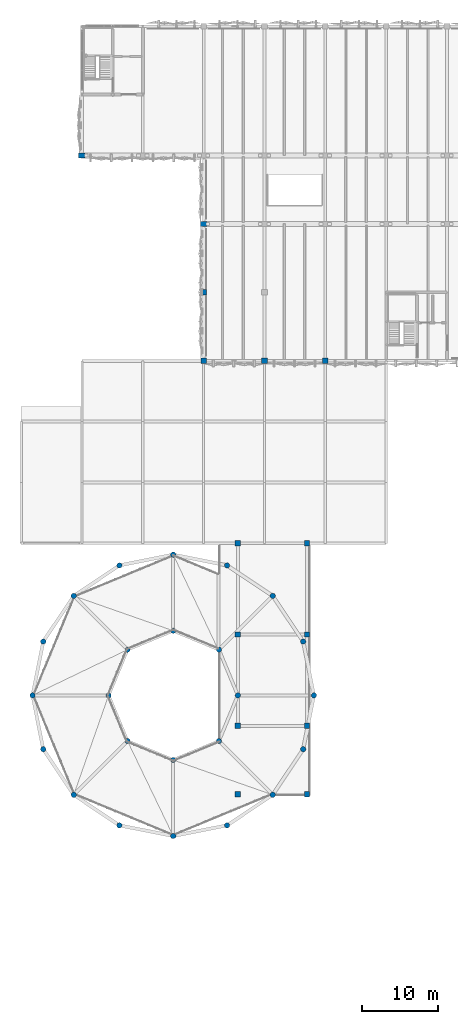
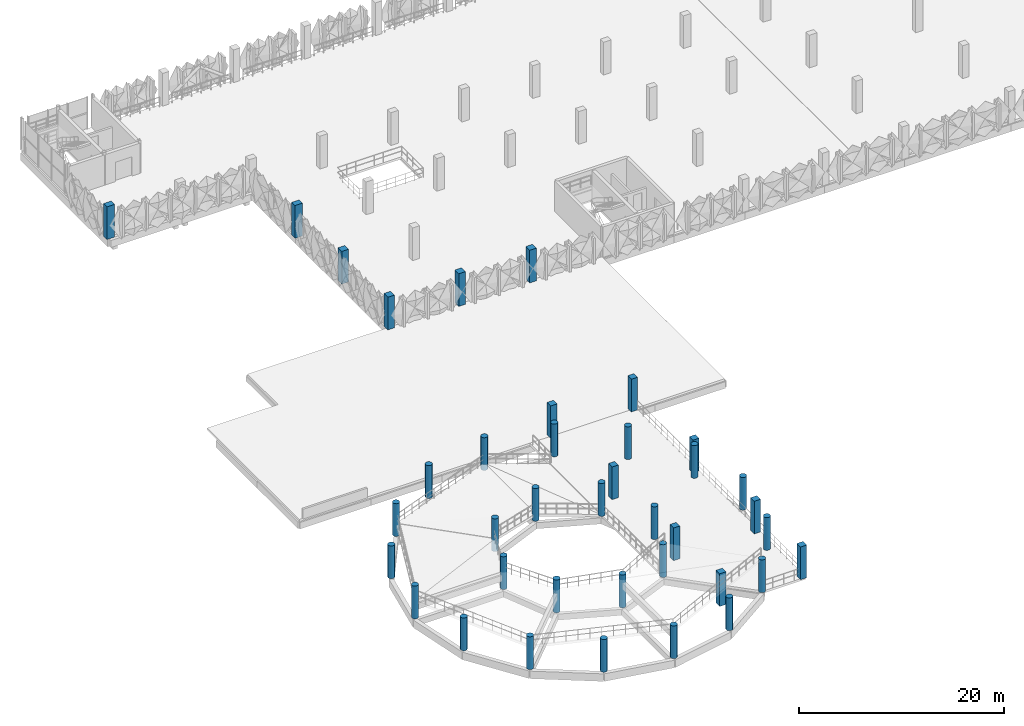
# One storey, part 1 of 76: 38 columns.
"""IFC4 building model written with IfcOpenShell, lengths in metres."""

from ifc_helpers import new_model, si_unit, derived_unit, direction, frame, origin, origin_2d, place, context, subcontext, project, spatial, rectangle, circle, extrude, material, material_profile, profile_set, type_object, element, save


model = new_model("IFC4")

# Units and contexts
model_context = context("Model", 3, precision=1e-05, world=origin(), true_north=direction((0.0, 1.0)))
body_context = subcontext(model_context, "Body", "Model", "MODEL_VIEW")
ifc_project = project(units=[si_unit("LENGTHUNIT", "METRE"), si_unit("AREAUNIT", "SQUARE_METRE"), si_unit("VOLUMEUNIT", "CUBIC_METRE"), si_unit("PLANEANGLEUNIT", "RADIAN"), si_unit("MASSUNIT", "GRAM", prefix="KILO"), si_unit("THERMODYNAMICTEMPERATUREUNIT", "KELVIN"), derived_unit("THERMALTRANSMITTANCEUNIT", [(si_unit("POWERUNIT", "WATT"), 1), (si_unit("AREAUNIT", "SQUARE_METRE"), -1), (si_unit("THERMODYNAMICTEMPERATUREUNIT", "KELVIN"), -1)])], contexts=[model_context])

# Site, building, storey
site_placement = place(None, origin())
site = spatial("IfcSite", under=ifc_project, at=site_placement, CompositionType="ELEMENT")
building_placement = place(site_placement, origin())
building = spatial("IfcBuilding", under=site, at=building_placement, Name="Haiyu Intermodal Mobility Hub", CompositionType="ELEMENT")
storey_placement = place(building_placement, frame((0.0, 0.0, 17.300048828125)))
storey = spatial("IfcBuildingStorey", under=building, at=storey_placement, Name="L04", CompositionType="ELEMENT", Elevation=17.300048828125)

# Columns
ifc_material_1 = material(Name="Precast concrete C40", Category="concrete")
ifc_material_profile_1 = material_profile(ifc_material_1, rectangle(XDim=0.75, YDim=0.75, at=origin_2d()), Name="RC750x750")
ifc_profile_set_1 = profile_set([ifc_material_profile_1], Name="Precast concrete C40")
column_type_1 = type_object("IfcColumnType", Name="COL-CC03", PredefinedType="COLUMN", material=ifc_profile_set_1)
column_1_placement = place(storey_placement, frame((38.0, 113.0, 0.0), z_axis=(0.0, 0.0, 1.0), x_axis=(1.0, 0.0, 0.0)))
element("IfcColumn", 1, at=column_1_placement, inside=storey, type_object=column_type_1, Name="Column V3S-4N L04", PredefinedType="COLUMN", context=body_context, shape_type="SweptSolid", body=[
    extrude(rectangle(XDim=0.75, YDim=0.75, at=origin_2d()), origin(), (0.0, 0.0, 1.0), 3.89990234375),
])
ifc_material_profile_2 = material_profile(ifc_material_1, rectangle(XDim=0.75, YDim=0.75, at=origin_2d()), Name="RC750x750")
ifc_profile_set_2 = profile_set([ifc_material_profile_2], Name="Precast concrete C40")
column_type_2 = type_object("IfcColumnType", Name="COL-CC03-EXT", PredefinedType="COLUMN", material=ifc_profile_set_2)
for number, where, z_axis, x_axis, name in (
    (2, (38.0, 104.0, 0.0), (0.0, 0.0, 1.0), (1.0, 0.0, 0.0), "Column V4-4M L04"),
    (3, (46.0, 104.0, 0.0), (0.0, 0.0, 1.0), (1.0, 0.0, 0.0), "Column V4-5M L04"),
    (4, (54.0, 104.0, 0.0), (0.0, 0.0, 1.0), (1.0, 0.0, 0.0), "Column V4-6M L04"),
):
    element("IfcColumn", number, at=place(storey_placement, frame(where, z_axis=z_axis, x_axis=x_axis)), inside=storey, type_object=column_type_2, Name=name, PredefinedType="COLUMN", context=body_context, shape_type="SweptSolid", body=[
        extrude(rectangle(XDim=0.75, YDim=0.75, at=origin_2d()), origin(), (0.0, 0.0, 1.0), 3.89990234375),
    ])
ifc_material_profile_3 = material_profile(ifc_material_1, rectangle(XDim=0.85009765625, YDim=0.64990234375, at=origin_2d()), Name="RC850x650")
ifc_profile_set_3 = profile_set([ifc_material_profile_3], Name="Precast concrete C40")
column_type_3 = type_object("IfcColumnType", Name="COL-CC05", PredefinedType="COLUMN", material=ifc_profile_set_3)
column_2_placement = place(storey_placement, frame((38.0, 122.0, 0.0), z_axis=(0.0, 0.0, 1.0), x_axis=(1.0, 0.0, 0.0)))
element("IfcColumn", 5, at=column_2_placement, inside=storey, type_object=column_type_3, Name="Column V4-4P L04", PredefinedType="COLUMN", context=body_context, shape_type="SweptSolid", body=[
    extrude(rectangle(XDim=0.85009765625, YDim=0.64990234375, at=origin_2d()), origin(), (0.0, 0.0, 1.0), 3.89990234375),
])
ifc_material_profile_4 = material_profile(ifc_material_1, rectangle(XDim=0.85009765625, YDim=0.64990234375, at=origin_2d()), Name="RC850x650")
ifc_profile_set_4 = profile_set([ifc_material_profile_4], Name="Precast concrete C40")
column_type_4 = type_object("IfcColumnType", Name="COL-CC05-EXT", PredefinedType="COLUMN", material=ifc_profile_set_4)
column_3_placement = place(storey_placement, frame((22.0, 131.0, 0.0), z_axis=(0.0, 0.0, 1.0), x_axis=(1.0, 0.0, 0.0)))
element("IfcColumn", 6, at=column_3_placement, inside=storey, type_object=column_type_4, Name="Column V4-2Q L04", PredefinedType="COLUMN", context=body_context, shape_type="SweptSolid", body=[
    extrude(rectangle(XDim=0.85009765625, YDim=0.64990234375, at=origin_2d()), origin(), (0.0, 0.0, 1.0), 3.89990234375),
])
ifc_material_2 = material(Name="Concrete C40", Category="concrete")
ifc_material_profile_5 = material_profile(ifc_material_2, rectangle(XDim=0.699951171875, YDim=0.699951171875, at=origin_2d()), Name="RC700x700")
ifc_profile_set_5 = profile_set([ifc_material_profile_5], Name="Concrete C40")
column_type_5 = type_object("IfcColumnType", Name="COL-CC08", PredefinedType="COLUMN", material=ifc_profile_set_5)
for number, where, z_axis, x_axis, name in (
    (7, (51.60009765625, 47.0, 0.0), (0.0, 0.0, 1.0), (1.0, 0.0, 0.0), "Column V2L-1 L04"),
    (8, (42.5, 47.0, 0.0), (0.0, 0.0, 1.0), (1.0, 0.0, 0.0), "Column V2LW-1 L04"),
    (9, (51.60009765625, 56.0, 0.0), (0.0, 0.0, 1.0), (1.0, 0.0, 0.0), "Column V2L-2 L04"),
    (10, (42.5, 56.0, 0.0), (0.0, 0.0, 1.0), (1.0, 0.0, 0.0), "Column V2LW-2 L04"),
    (11, (51.60009765625, 68.0, 0.0), (0.0, 0.0, 1.0), (1.0, 0.0, 0.0), "Column V2L-3 L04"),
    (12, (42.5, 68.0, 0.0), (0.0, 0.0, 1.0), (1.0, 0.0, 0.0), "Column V2LW-3 L04"),
    (13, (51.60009765625, 80.0, 0.0), (0.0, 0.0, 1.0), (1.0, 0.0, 0.0), "Column V2L-4 L04"),
    (14, (42.5, 80.0, 0.0), (0.0, 0.0, 1.0), (1.0, 0.0, 0.0), "Column V2LW-4 L04"),
):
    element("IfcColumn", number, at=place(storey_placement, frame(where, z_axis=z_axis, x_axis=x_axis)), inside=storey, type_object=column_type_5, Name=name, PredefinedType="COLUMN", context=body_context, shape_type="SweptSolid", body=[
        extrude(rectangle(XDim=0.699951171875, YDim=0.699951171875, at=origin_2d()), origin(), (0.0, 0.0, 1.0), 3.89990234375),
    ])
ifc_material_profile_6 = material_profile(ifc_material_2, circle(Radius=0.35009765625, at=origin_2d()), Name="RCCOL-D700")
ifc_profile_set_6 = profile_set([ifc_material_profile_6], Name="Concrete C40")
column_type_6 = type_object("IfcColumnType", Name="COL-CR02", PredefinedType="COLUMN", material=ifc_profile_set_6)
for number, where, z_axis, x_axis, name in (
    (15, (42.5, 60.0, 0.0), (0.0, 0.0, 1.0), (1.0, 0.0, 0.0), "Column V2I-01 L04"),
    (16, (40.010009765625, 66.010009765625, 0.0), (0.0, 0.0, 1.0), (1.0, 0.0, 0.0), "Column V2I-02 L04"),
    (17, (34.0, 68.5, 0.0), (0.0, 0.0, 1.0), (1.0, 0.0, 0.0), "Column V2I-03 L04"),
    (18, (27.989990234375, 66.010009765625, 0.0), (0.0, 0.0, 1.0), (1.0, 0.0, 0.0), "Column V2I-04 L04"),
    (19, (25.5, 60.0, 0.0), (0.0, 0.0, 1.0), (1.0, 0.0, 0.0), "Column V2I-05 L04"),
    (20, (27.989990234375, 53.989990234375, 0.0), (0.0, 0.0, 1.0), (1.0, 0.0, 0.0), "Column V2I-06 L04"),
    (21, (34.0, 51.5, 0.0), (0.0, 0.0, 1.0), (1.0, 0.0, 0.0), "Column V2I-07 L04"),
    (22, (40.010009765625, 53.989990234375, 0.0), (0.0, 0.0, 1.0), (1.0, 0.0, 0.0), "Column V2I-08 L04"),
):
    element("IfcColumn", number, at=place(storey_placement, frame(where, z_axis=z_axis, x_axis=x_axis)), inside=storey, type_object=column_type_6, Name=name, PredefinedType="COLUMN", context=body_context, shape_type="SweptSolid", body=[
        extrude(circle(Radius=0.35009765625, at=origin_2d()), origin(), (0.0, 0.0, 1.0), 3.89990234375),
    ])
ifc_material_profile_7 = material_profile(ifc_material_2, circle(Radius=0.35009765625, at=origin_2d()), Name="RCCOL-D700")
ifc_profile_set_7 = profile_set([ifc_material_profile_7], Name="Concrete C40")
column_type_7 = type_object("IfcColumnType", Name="COL-CR02-EXT", PredefinedType="COLUMN", material=ifc_profile_set_7)
for number, where, z_axis, x_axis, name in (
    (23, (52.5, 60.0, 0.0), (0.0, 0.0, 1.0), (1.0, 0.0, 0.0), "Column V2O-01 L04"),
    (24, (51.092041015625, 67.080078125, 0.0), (0.0, 0.0, 1.0), (1.0, 0.0, 0.0), "Column V2O-02 L04"),
    (25, (47.0810546875, 73.0810546875, 0.0), (0.0, 0.0, 1.0), (1.0, 0.0, 0.0), "Column V2O-03 L04"),
    (26, (41.080078125, 77.092041015625, 0.0), (0.0, 0.0, 1.0), (1.0, 0.0, 0.0), "Column V2O-04 L04"),
    (27, (34.0, 78.5, 0.0), (0.0, 0.0, 1.0), (1.0, 0.0, 0.0), "Column V2O-05 L04"),
    (28, (26.919921875, 77.092041015625, 0.0), (0.0, 0.0, 1.0), (1.0, 0.0, 0.0), "Column V2O-06 L04"),
    (29, (20.9189453125, 73.0810546875, 0.0), (0.0, 0.0, 1.0), (1.0, 0.0, 0.0), "Column V2O-07 L04"),
    (30, (16.907958984375, 67.080078125, 0.0), (0.0, 0.0, 1.0), (1.0, 0.0, 0.0), "Column V2O-08 L04"),
    (31, (15.5, 60.0, 0.0), (0.0, 0.0, 1.0), (1.0, 0.0, 0.0), "Column V2O-09 L04"),
    (32, (16.907958984375, 52.919921875, 0.0), (0.0, 0.0, 1.0), (1.0, 0.0, 0.0), "Column V2O-10 L04"),
    (33, (20.9189453125, 46.9189453125, 0.0), (0.0, 0.0, 1.0), (1.0, 0.0, 0.0), "Column V2O-11 L04"),
    (34, (26.919921875, 42.907958984375, 0.0), (0.0, 0.0, 1.0), (1.0, 0.0, 0.0), "Column V2O-12 L04"),
    (35, (34.0, 41.5, 0.0), (0.0, 0.0, 1.0), (1.0, 0.0, 0.0), "Column V2O-13 L04"),
    (36, (41.080078125, 42.907958984375, 0.0), (0.0, 0.0, 1.0), (1.0, 0.0, 0.0), "Column V2O-14 L04"),
    (37, (47.0810546875, 46.9189453125, 0.0), (0.0, 0.0, 1.0), (1.0, 0.0, 0.0), "Column V2O-15 L04"),
    (38, (51.092041015625, 52.919921875, 0.0), (0.0, 0.0, 1.0), (1.0, 0.0, 0.0), "Column V2O-16 L04"),
):
    element("IfcColumn", number, at=place(storey_placement, frame(where, z_axis=z_axis, x_axis=x_axis)), inside=storey, type_object=column_type_7, Name=name, PredefinedType="COLUMN", context=body_context, shape_type="SweptSolid", body=[
        extrude(circle(Radius=0.35009765625, at=origin_2d()), origin(), (0.0, 0.0, 1.0), 3.89990234375),
    ])

save(model, "model.ifc")
